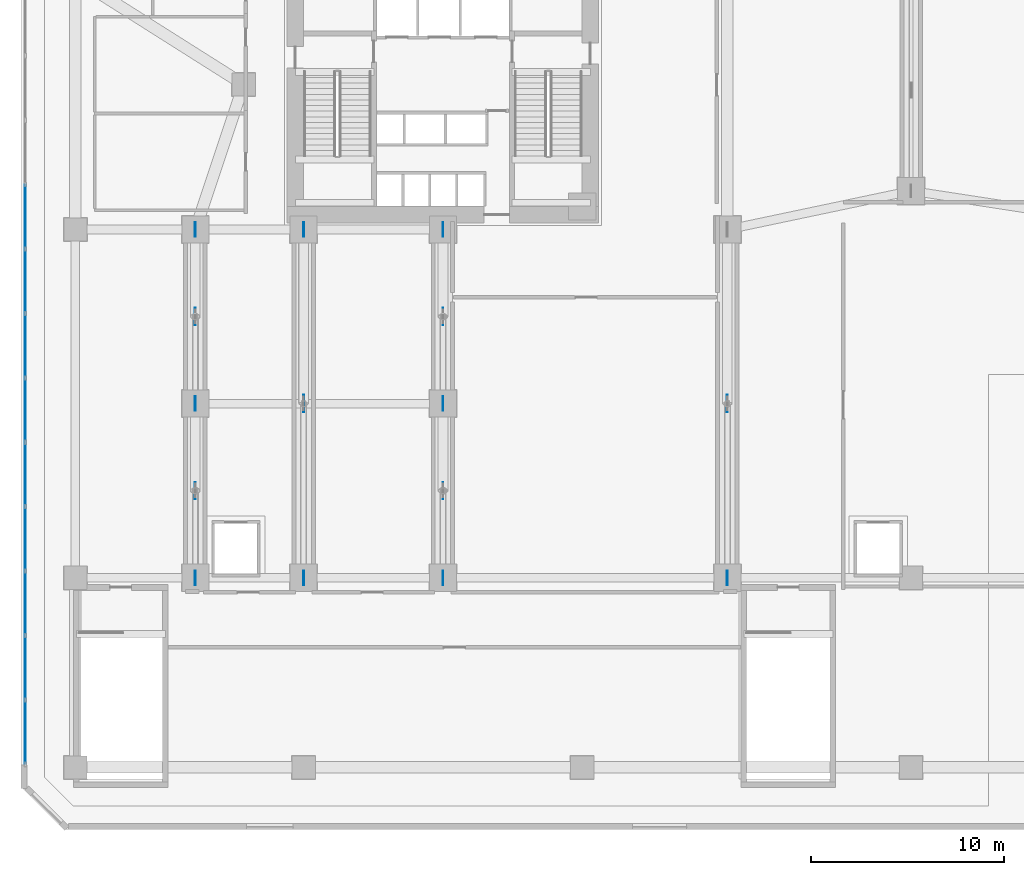
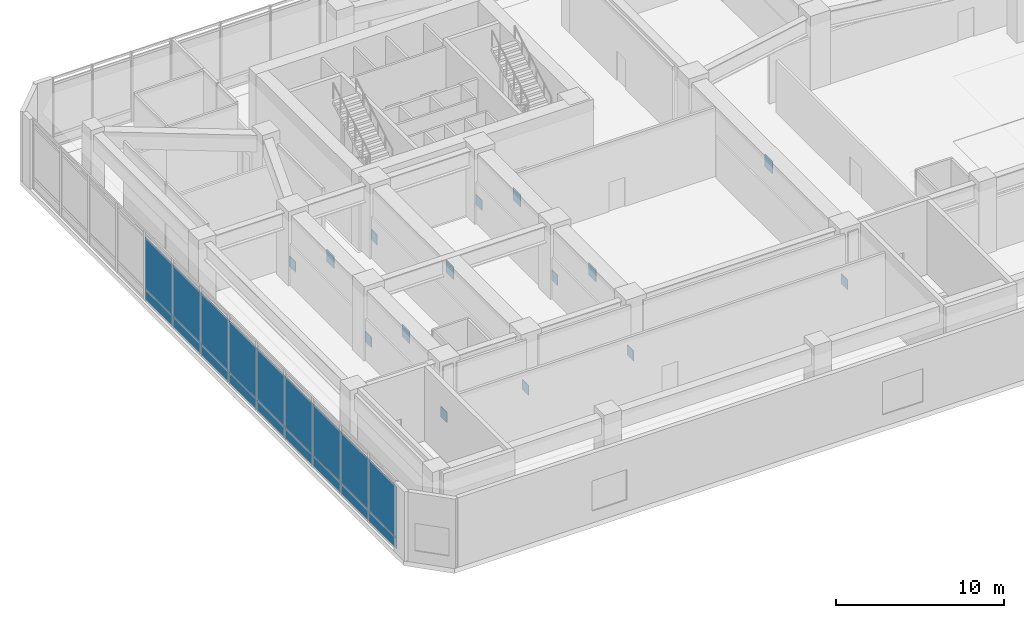
# One storey, part 11 of 21: 33 plates, 1 element without a shape of its own.
"""IFC4 building model written with IfcOpenShell, lengths in metres."""

import ifcopenshell
import ifcopenshell.guid

model = None  # the IFC model being written
_history = None  # IfcOwnerHistory: only IFC2X3 demands one
_inside = {}  # id of a spatial element -> (the spatial element, [elements in it])
_under = {}  # id of a project, library or spatial element -> (it, [spatial elements below it])
_declared = {}  # id of a project -> (the project, [libraries it declares])
_typed = {}  # id of a type object -> (the type object, [elements of that type])
_made_of = {}  # id of a material, layer set ... -> (it, [elements and type objects made of it])


def new_model(schema):
    """Start an empty IFC model of exactly this schema.

    Asked for "IFC4X3", IfcOpenShell would pick the latest addendum, in which some entities
    have other attributes; the version numbers below select the first issue.
    IFC2X3 requires an IfcOwnerHistory on every rooted entity: one is made here for all.
    """
    global model, _history
    if schema == "IFC4X3":
        model = ifcopenshell.file(schema_version=(4, 3, 0, 0))
    else:
        model = ifcopenshell.file(schema=schema)
    _inside.clear()
    _under.clear()
    _declared.clear()
    _typed.clear()
    _made_of.clear()
    _history = None
    if model.schema == "IFC2X3":
        org = make("IfcOrganization", Name="unknown")
        user = make(
            "IfcPersonAndOrganization",
            ThePerson=make("IfcPerson", FamilyName="unknown"),
            TheOrganization=org,
        )
        app = make(
            "IfcApplication",
            ApplicationDeveloper=org,
            Version="unknown",
            ApplicationFullName="unknown",
            ApplicationIdentifier="unknown",
        )
        _history = make(
            "IfcOwnerHistory",
            OwningUser=user,
            OwningApplication=app,
            ChangeAction="ADDED",
            CreationDate=0,
        )
    return model


def make(cls, **values):
    """One entity of the class cls with the attributes given. An attribute that is None is left unset."""
    return model.create_entity(
        cls, **{name: value for name, value in values.items() if value is not None}
    )


def rooted(cls, **values):
    """An entity with a GlobalId (a new one), such as an element, a storey or a relation."""
    return make(cls, GlobalId=ifcopenshell.guid.new(), OwnerHistory=_history, **values)


def si_unit(unit_type, name, prefix=None):
    """IfcSIUnit, for example si_unit("LENGTHUNIT", "METRE", prefix="MILLI")."""
    return make("IfcSIUnit", UnitType=unit_type, Prefix=prefix, Name=name)


def assignment(units):
    """IfcUnitAssignment: the units of a project."""
    return None if units is None else make("IfcUnitAssignment", Units=units)


def point(xyz):
    """IfcCartesianPoint."""
    return None if xyz is None else make("IfcCartesianPoint", Coordinates=xyz)


def direction(xyz):
    """IfcDirection."""
    return None if xyz is None else make("IfcDirection", DirectionRatios=xyz)


def frame(location, z_axis=None, x_axis=None):
    """IfcAxis2Placement3D, a coordinate frame: its origin and axes. An axis left out is left unset."""
    return make(
        "IfcAxis2Placement3D",
        Location=point(location),
        Axis=direction(z_axis),
        RefDirection=direction(x_axis),
    )


def frame_2d(location, x_axis=None):
    """IfcAxis2Placement2D, a coordinate frame in the plane: its origin and x axis."""
    return make(
        "IfcAxis2Placement2D", Location=point(location), RefDirection=direction(x_axis)
    )


def origin():
    """The frame at (0, 0, 0) with its axes left unset."""
    return frame((0.0, 0.0, 0.0))


def origin_2d():
    """The frame at (0, 0) in the plane with its x axis left unset."""
    return frame_2d((0.0, 0.0))


def place(relative_to, where):
    """IfcLocalPlacement: puts the frame where relative to a parent placement (None: the world)."""
    return make(
        "IfcLocalPlacement", PlacementRelTo=relative_to, RelativePlacement=where
    )


def context(
    kind, dimensions, precision=None, world=None, true_north=None, identifier=None
):
    """IfcGeometricRepresentationContext, for example the 3D "Model" context."""
    return make(
        "IfcGeometricRepresentationContext",
        ContextIdentifier=identifier,
        ContextType=kind,
        CoordinateSpaceDimension=dimensions,
        Precision=precision,
        WorldCoordinateSystem=world,
        TrueNorth=true_north,
    )


def subcontext(parent, identifier, kind, view, scale=None):
    """IfcGeometricRepresentationSubContext, for example "Body" below "Model"."""
    return make(
        "IfcGeometricRepresentationSubContext",
        ContextIdentifier=identifier,
        ContextType=kind,
        ParentContext=parent,
        TargetScale=scale,
        TargetView=view,
    )


def project(units=None, contexts=None):
    """IfcProject with its units and contexts."""
    return rooted(
        "IfcProject",
        Name="project",
        RepresentationContexts=contexts,
        UnitsInContext=assignment(units),
    )


def spatial(cls, under=None, at=None, **own):
    """A site, building, storey or space (cls), placed at a placement, below another one or the project."""
    s = rooted(cls, ObjectPlacement=at, **own)
    if under is not None:
        _under.setdefault(under.id(), (under, []))[1].append(s)
    return s


def profile(cls, at=None, kind="AREA", **sizes):
    """A parametric profile (cls). Its sizes go by their IFC names, for example OverallWidth=200.0."""
    return make(cls, ProfileType=kind, Position=at, **sizes)


def rectangle(**sizes):
    """IfcRectangleProfileDef."""
    return profile("IfcRectangleProfileDef", **sizes)


def extrude(swept, where, along, depth):
    """IfcExtrudedAreaSolid: the profile swept, set in the frame where, extruded along a direction by depth."""
    return make(
        "IfcExtrudedAreaSolid",
        SweptArea=swept,
        Position=where,
        ExtrudedDirection=direction(along),
        Depth=depth,
    )


def shape(context_of_items, identifier, shape_type, items):
    """IfcShapeRepresentation: the items that make up one representation, for example the "Body"."""
    return make(
        "IfcShapeRepresentation",
        ContextOfItems=context_of_items,
        RepresentationIdentifier=identifier,
        RepresentationType=shape_type,
        Items=items,
    )


def source(mapping_origin, context_of_items, identifier, shape_type, items):
    """IfcRepresentationMap: a shape defined once, which mapped items show again and again."""
    return make(
        "IfcRepresentationMap",
        MappingOrigin=mapping_origin,
        MappedRepresentation=shape(context_of_items, identifier, shape_type, items),
    )


def transform(
    local_origin,
    x_axis=None,
    y_axis=None,
    z_axis=None,
    scale=None,
    scale2=None,
    scale3=None,
    uniform=True,
):
    """IfcCartesianTransformationOperator3D, or its non-uniform kind. x_axis, y_axis, z_axis: its Axis1, 2, 3."""
    if uniform:
        return make(
            "IfcCartesianTransformationOperator3D",
            Axis1=direction(x_axis),
            Axis2=direction(y_axis),
            LocalOrigin=point(local_origin),
            Scale=scale,
            Axis3=direction(z_axis),
        )
    return make(
        "IfcCartesianTransformationOperator3DnonUniform",
        Axis1=direction(x_axis),
        Axis2=direction(y_axis),
        LocalOrigin=point(local_origin),
        Scale=scale,
        Axis3=direction(z_axis),
        Scale2=scale2,
        Scale3=scale3,
    )


def mapped(mapping_source, mapping_target):
    """IfcMappedItem: shows the shape of a source again, moved by a transform."""
    return make(
        "IfcMappedItem", MappingSource=mapping_source, MappingTarget=mapping_target
    )


def material(Name=None, Category=None):
    """IfcMaterial."""
    return make("IfcMaterial", Name=Name, Category=Category)


def layer(
    of_material, thickness, ventilated=None, Name=None, Category=None, Priority=None
):
    """IfcMaterialLayer: one layer of a wall or slab, of a material (None: an air gap)."""
    return make(
        "IfcMaterialLayer",
        Material=of_material,
        LayerThickness=thickness,
        IsVentilated=ventilated,
        Name=Name,
        Category=Category,
        Priority=Priority,
    )


def layer_set(layers, Name=None):
    """IfcMaterialLayerSet."""
    return make("IfcMaterialLayerSet", MaterialLayers=layers, LayerSetName=Name)


def made_of(thing, what):
    """Note that an element or type object is made of a material, layer set ...; save() writes the relation."""
    if what is not None:
        _made_of.setdefault(what.id(), (what, []))[1].append(thing)
    return thing


def type_object(cls, material=None, **own):
    """A type object (cls), such as IfcWallType, which elements share."""
    return made_of(rooted(cls, **own), material)


def element(
    cls,
    number,
    at=None,
    inside=None,
    cuts=None,
    type_object=None,
    material=None,
    context=None,
    identifier="Body",
    shape_type=None,
    held_by="IfcProductDefinitionShape",
    body=None,
    shapes=None,
    **own,
):
    """One element of the class cls, such as IfcWall. Its Tag is "e" and its number.

    at: its placement. inside: the storey or other place that contains it. cuts: it is an
    opening in that element (IfcRelVoidsElement). A single representation is given by context,
    identifier, shape_type and body (its items); several are given by shapes. held_by: the class
    of the entity that holds the representations. save() writes the other relations.
    """
    e = rooted(cls, Tag="e%d" % number, ObjectPlacement=at, **own)
    if body is not None:
        shapes = [shape(context, identifier, shape_type, body)]
    if shapes is not None:
        e.Representation = make(held_by, Representations=shapes)
    if inside is not None:
        _inside.setdefault(inside.id(), (inside, []))[1].append(e)
    if cuts is not None:
        rooted(
            "IfcRelVoidsElement", RelatingBuildingElement=cuts, RelatedOpeningElement=e
        )
    if type_object is not None:
        _typed.setdefault(type_object.id(), (type_object, []))[1].append(e)
    return made_of(e, material)


def aggregate(whole, parts):
    """IfcRelAggregates: a whole, such as a stair, and the parts it consists of."""
    return rooted("IfcRelAggregates", RelatingObject=whole, RelatedObjects=parts)


def save(model, path):
    """Write the relations noted so far, then the file.

    IfcRelAggregates (storeys below a building ...), IfcRelContainedInSpatialStructure (elements
    in a storey), IfcRelDefinesByType, IfcRelAssociatesMaterial and IfcRelDeclares: one each for
    every whole, place, type object, material and project.
    """
    for whole, parts in _under.values():
        aggregate(whole, parts)
    for where, things in _inside.values():
        rooted(
            "IfcRelContainedInSpatialStructure",
            RelatedElements=things,
            RelatingStructure=where,
        )
    for kind, things in _typed.values():
        rooted("IfcRelDefinesByType", RelatedObjects=things, RelatingType=kind)
    for what, things in _made_of.values():
        rooted("IfcRelAssociatesMaterial", RelatedObjects=things, RelatingMaterial=what)
    for by, libraries in _declared.values():
        rooted("IfcRelDeclares", RelatingContext=by, RelatedDefinitions=libraries)
    model.write(path)


model = new_model("IFC4")

# Units and contexts
model_context = context("Model", 3, precision=1e-05, world=origin(), true_north=direction((0.0, 1.0)))
body_context = subcontext(model_context, "Body", "Model", "MODEL_VIEW")
ifc_project = project(units=[si_unit("LENGTHUNIT", "METRE"), si_unit("AREAUNIT", "SQUARE_METRE"), si_unit("VOLUMEUNIT", "CUBIC_METRE"), si_unit("PLANEANGLEUNIT", "RADIAN"), si_unit("MASSUNIT", "GRAM", prefix="KILO")], contexts=[model_context])

# Site, building, storey
site_placement = place(None, origin())
site = spatial("IfcSite", under=ifc_project, at=site_placement, CompositionType="ELEMENT")
building_placement = place(site_placement, origin())
building = spatial("IfcBuilding", under=site, at=building_placement, Name="Calvemar Wedge Station Tower", CompositionType="ELEMENT")
storey_placement = place(building_placement, frame((0.0, 0.0, 21.60009765625)))
storey = spatial("IfcBuildingStorey", under=building, at=storey_placement, Name="L05", CompositionType="ELEMENT", Elevation=21.60009765625)

# Curtain wall, plates
ifc_material_1 = material(Name="Anodised aluminium 6063-T6", Category="aluminium")
curtain_wall_type = type_object("IfcCurtainWallType", Name="CW5", PredefinedType="NOTDEFINED", material=ifc_material_1)
curtain_wall_placement = place(storey_placement, origin())
curtain_wall = element("IfcCurtainWall", 1, at=curtain_wall_placement, inside=storey, type_object=curtain_wall_type, Name="Storey L05 CW5 Recessed Unitised Curtain Wall 6", PredefinedType="NOTDEFINED")
ifc_material_2 = material(Name="Low-E laminated insulated glass", Category="glass")
ifc_layer_1 = layer(ifc_material_2, 0.028076171875)
ifc_layer_set_1 = layer_set([ifc_layer_1], Name="Low-E laminated insulated glass")
plate_type_1 = type_object("IfcPlateType", Name="CW5-GLZ", PredefinedType="CURTAIN_PANEL", material=ifc_layer_set_1)
plate_1_placement = place(storey_placement, frame((2.2099609375, 35.30419921875, 0.869873046875), z_axis=(0.0, 0.0, 1.0), x_axis=(0.0, -1.0, 0.0)))
plate_1 = element("IfcPlate", 2, at=plate_1_placement, type_object=plate_type_1, Name="CW5 vision glass panel 5", PredefinedType="CURTAIN_PANEL", context=body_context, shape_type="SweptSolid", body=[
    extrude(rectangle(XDim=3.292724609375, YDim=0.028076171875, at=frame_2d((1.646484375, 0.0))), origin(), (0.0, 0.0, 1.0), 3.7099609375),
])
plate_2_placement = place(storey_placement, frame((2.2099609375, 31.975341796875, 0.869873046875), z_axis=(0.0, 0.0, 1.0), x_axis=(0.0, -1.0, 0.0)))
plate_2 = element("IfcPlate", 3, at=plate_2_placement, type_object=plate_type_1, Name="CW5 vision glass panel 6", PredefinedType="CURTAIN_PANEL", context=body_context, shape_type="SweptSolid", body=[
    extrude(rectangle(XDim=3.292724609375, YDim=0.028076171875, at=frame_2d((1.646484375, 0.0))), origin(), (0.0, 0.0, 1.0), 3.7099609375),
])
plate_3_placement = place(storey_placement, frame((2.2099609375, 28.646484375, 0.869873046875), z_axis=(0.0, 0.0, 1.0), x_axis=(0.0, -1.0, 0.0)))
plate_3 = element("IfcPlate", 4, at=plate_3_placement, type_object=plate_type_1, Name="CW5 vision glass panel 7", PredefinedType="CURTAIN_PANEL", context=body_context, shape_type="SweptSolid", body=[
    extrude(rectangle(XDim=3.29296875, YDim=0.028076171875, at=frame_2d((1.646484375, 0.0))), origin(), (0.0, 0.0, 1.0), 3.7099609375),
])
plate_4_placement = place(storey_placement, frame((2.2099609375, 25.3173828125, 0.869873046875), z_axis=(0.0, 0.0, 1.0), x_axis=(0.0, -1.0, 0.0)))
plate_4 = element("IfcPlate", 5, at=plate_4_placement, type_object=plate_type_1, Name="CW5 vision glass panel 8", PredefinedType="CURTAIN_PANEL", context=body_context, shape_type="SweptSolid", body=[
    extrude(rectangle(XDim=3.292724609375, YDim=0.028076171875, at=frame_2d((1.646484375, 0.0))), origin(), (0.0, 0.0, 1.0), 3.7099609375),
])
plate_5_placement = place(storey_placement, frame((2.2099609375, 21.988525390625, 0.869873046875), z_axis=(0.0, 0.0, 1.0), x_axis=(0.0, -1.0, 0.0)))
plate_5 = element("IfcPlate", 6, at=plate_5_placement, type_object=plate_type_1, Name="CW5 vision glass panel 9", PredefinedType="CURTAIN_PANEL", context=body_context, shape_type="SweptSolid", body=[
    extrude(rectangle(XDim=3.292724609375, YDim=0.028076171875, at=frame_2d((1.646484375, 0.0))), origin(), (0.0, 0.0, 1.0), 3.7099609375),
])
plate_6_placement = place(storey_placement, frame((2.2099609375, 18.65966796875, 0.869873046875), z_axis=(0.0, 0.0, 1.0), x_axis=(0.0, -1.0, 0.0)))
plate_6 = element("IfcPlate", 7, at=plate_6_placement, type_object=plate_type_1, Name="CW5 vision glass panel 10", PredefinedType="CURTAIN_PANEL", context=body_context, shape_type="SweptSolid", body=[
    extrude(rectangle(XDim=3.29296875, YDim=0.028076171875, at=frame_2d((1.646484375, 0.0))), origin(), (0.0, 0.0, 1.0), 3.7099609375),
])
plate_7_placement = place(storey_placement, frame((2.2099609375, 15.330810546875, 0.869873046875), z_axis=(0.0, 0.0, 1.0), x_axis=(0.0, -1.0, 0.0)))
plate_7 = element("IfcPlate", 8, at=plate_7_placement, type_object=plate_type_1, Name="CW5 vision glass panel 11", PredefinedType="CURTAIN_PANEL", context=body_context, shape_type="SweptSolid", body=[
    extrude(rectangle(XDim=3.29296875, YDim=0.028076171875, at=frame_2d((1.646484375, 0.0))), origin(), (0.0, 0.0, 1.0), 3.7099609375),
])
plate_8_placement = place(storey_placement, frame((2.2099609375, 12.001953125, 0.869873046875), z_axis=(0.0, 0.0, 1.0), x_axis=(0.0, -1.0, 0.0)))
plate_8 = element("IfcPlate", 9, at=plate_8_placement, type_object=plate_type_1, Name="CW5 vision glass panel 12", PredefinedType="CURTAIN_PANEL", context=body_context, shape_type="SweptSolid", body=[
    extrude(rectangle(XDim=3.29296875, YDim=0.028076171875, at=frame_2d((1.646484375, 0.0))), origin(), (0.0, 0.0, 1.0), 3.7099609375),
])
plate_9_placement = place(storey_placement, frame((2.2099609375, 8.673095703125, 0.869873046875), z_axis=(0.0, 0.0, 1.0), x_axis=(0.0, -1.0, 0.0)))
plate_9 = element("IfcPlate", 10, at=plate_9_placement, type_object=plate_type_1, Name="CW5 vision glass panel 13", PredefinedType="CURTAIN_PANEL", context=body_context, shape_type="SweptSolid", body=[
    extrude(rectangle(XDim=3.29296875, YDim=0.028076171875, at=frame_2d((1.646484375, 0.0))), origin(), (0.0, 0.0, 1.0), 3.7099609375),
])
ifc_material_3 = material(Name="Oxidized bronze aluminium spandrel panel 5005-H24", Category="aluminium")
ifc_layer_2 = layer(ifc_material_3, 0.0400390625)
ifc_layer_set_2 = layer_set([ifc_layer_2], Name="Oxidized bronze aluminium spandrel panel 5005-H24")
plate_type_2 = type_object("IfcPlateType", Name="CW5-SPD", PredefinedType="SHEET", material=ifc_layer_set_2)
plate_10_placement = place(storey_placement, frame((2.2099609375, 35.30419921875, 0.079833984375), z_axis=(0.0, 0.0, 1.0), x_axis=(0.0, -1.0, 0.0)))
plate_10 = element("IfcPlate", 11, at=plate_10_placement, type_object=plate_type_2, Name="CW5 bronze spandrel panel 5", PredefinedType="SHEET", context=body_context, shape_type="SweptSolid", body=[
    extrude(rectangle(XDim=3.292724609375, YDim=0.0400390625, at=frame_2d((1.646484375, 0.0))), origin(), (0.0, 0.0, 1.0), 0.75),
])
plate_11_placement = place(storey_placement, frame((2.2099609375, 31.975341796875, 0.079833984375), z_axis=(0.0, 0.0, 1.0), x_axis=(0.0, -1.0, 0.0)))
plate_11 = element("IfcPlate", 12, at=plate_11_placement, type_object=plate_type_2, Name="CW5 bronze spandrel panel 6", PredefinedType="SHEET", context=body_context, shape_type="SweptSolid", body=[
    extrude(rectangle(XDim=3.292724609375, YDim=0.0400390625, at=frame_2d((1.646484375, 0.0))), origin(), (0.0, 0.0, 1.0), 0.75),
])
plate_12_placement = place(storey_placement, frame((2.2099609375, 28.646484375, 0.079833984375), z_axis=(0.0, 0.0, 1.0), x_axis=(0.0, -1.0, 0.0)))
plate_12 = element("IfcPlate", 13, at=plate_12_placement, type_object=plate_type_2, Name="CW5 bronze spandrel panel 7", PredefinedType="SHEET", context=body_context, shape_type="SweptSolid", body=[
    extrude(rectangle(XDim=3.29296875, YDim=0.0400390625, at=frame_2d((1.646484375, 0.0))), origin(), (0.0, 0.0, 1.0), 0.75),
])
plate_13_placement = place(storey_placement, frame((2.2099609375, 25.3173828125, 0.079833984375), z_axis=(0.0, 0.0, 1.0), x_axis=(0.0, -1.0, 0.0)))
plate_13 = element("IfcPlate", 14, at=plate_13_placement, type_object=plate_type_2, Name="CW5 bronze spandrel panel 8", PredefinedType="SHEET", context=body_context, shape_type="SweptSolid", body=[
    extrude(rectangle(XDim=3.292724609375, YDim=0.0400390625, at=frame_2d((1.646484375, 0.0))), origin(), (0.0, 0.0, 1.0), 0.75),
])
plate_14_placement = place(storey_placement, frame((2.2099609375, 21.988525390625, 0.079833984375), z_axis=(0.0, 0.0, 1.0), x_axis=(0.0, -1.0, 0.0)))
plate_14 = element("IfcPlate", 15, at=plate_14_placement, type_object=plate_type_2, Name="CW5 bronze spandrel panel 9", PredefinedType="SHEET", context=body_context, shape_type="SweptSolid", body=[
    extrude(rectangle(XDim=3.292724609375, YDim=0.0400390625, at=frame_2d((1.646484375, 0.0))), origin(), (0.0, 0.0, 1.0), 0.75),
])
plate_15_placement = place(storey_placement, frame((2.2099609375, 18.65966796875, 0.079833984375), z_axis=(0.0, 0.0, 1.0), x_axis=(0.0, -1.0, 0.0)))
plate_15 = element("IfcPlate", 16, at=plate_15_placement, type_object=plate_type_2, Name="CW5 bronze spandrel panel 10", PredefinedType="SHEET", context=body_context, shape_type="SweptSolid", body=[
    extrude(rectangle(XDim=3.29296875, YDim=0.0400390625, at=frame_2d((1.646484375, 0.0))), origin(), (0.0, 0.0, 1.0), 0.75),
])
plate_16_placement = place(storey_placement, frame((2.2099609375, 15.330810546875, 0.079833984375), z_axis=(0.0, 0.0, 1.0), x_axis=(0.0, -1.0, 0.0)))
plate_16 = element("IfcPlate", 17, at=plate_16_placement, type_object=plate_type_2, Name="CW5 bronze spandrel panel 11", PredefinedType="SHEET", context=body_context, shape_type="SweptSolid", body=[
    extrude(rectangle(XDim=3.29296875, YDim=0.0400390625, at=frame_2d((1.646484375, 0.0))), origin(), (0.0, 0.0, 1.0), 0.75),
])
plate_17_placement = place(storey_placement, frame((2.2099609375, 12.001953125, 0.079833984375), z_axis=(0.0, 0.0, 1.0), x_axis=(0.0, -1.0, 0.0)))
plate_17 = element("IfcPlate", 18, at=plate_17_placement, type_object=plate_type_2, Name="CW5 bronze spandrel panel 12", PredefinedType="SHEET", context=body_context, shape_type="SweptSolid", body=[
    extrude(rectangle(XDim=3.29296875, YDim=0.0400390625, at=frame_2d((1.646484375, 0.0))), origin(), (0.0, 0.0, 1.0), 0.75),
])
plate_18_placement = place(storey_placement, frame((2.2099609375, 8.673095703125, 0.079833984375), z_axis=(0.0, 0.0, 1.0), x_axis=(0.0, -1.0, 0.0)))
plate_18 = element("IfcPlate", 19, at=plate_18_placement, type_object=plate_type_2, Name="CW5 bronze spandrel panel 13", PredefinedType="SHEET", context=body_context, shape_type="SweptSolid", body=[
    extrude(rectangle(XDim=3.29296875, YDim=0.0400390625, at=frame_2d((1.646484375, 0.0))), origin(), (0.0, 0.0, 1.0), 0.75),
])
aggregate(curtain_wall, [plate_10, plate_1, plate_11, plate_2, plate_12, plate_3, plate_13, plate_4, plate_14, plate_5, plate_15, plate_6, plate_16, plate_7, plate_17, plate_8, plate_18, plate_9])

# Plates
ifc_material_4 = material(Name="Structural steel ASTM A572 Grade 50", Category="steel")
ifc_layer_3 = layer(ifc_material_4, 0.0400390625)
ifc_layer_set_3 = layer_set([ifc_layer_3], Name="Structural steel ASTM A572 Grade 50")
plate_type_3 = type_object("IfcPlateType", Name="PL-NP-40", PredefinedType="USERDEFINED", material=ifc_layer_set_3)
shared_shape_1 = source(origin(), body_context, "Body", "SweptSolid", [
    extrude(rectangle(XDim=0.89990234375, YDim=0.0400390625, at=origin_2d()), origin(), (0.0, 0.0, 1.0), 0.89990234375),
])
for number, where, z_axis, x_axis, name in (
    (20, (11.0, 19.5, 3.599853515625), (0.0, 0.0, 1.0), (0.0, 1.0, 0.0), "Warren Truss TR1 Node Gusset Plate 1"),
    (21, (11.0, 28.5, 3.599853515625), (0.0, 0.0, 1.0), (0.0, 1.0, 0.0), "Warren Truss TR1 Node Gusset Plate 2"),
    (22, (16.60009765625, 24.0, 3.599853515625), (0.0, 0.0, 1.0), (0.0, 1.0, 0.0), "Warren Truss TR2 Node Gusset Plate 1"),
    (23, (23.800048828125, 19.5, 3.599853515625), (0.0, 0.0, 1.0), (0.0, 1.0, 0.0), "Warren Truss TR3 Node Gusset Plate 1"),
    (24, (23.800048828125, 28.5, 3.599853515625), (0.0, 0.0, 1.0), (0.0, 1.0, 0.0), "Warren Truss TR3 Node Gusset Plate 2"),
    (25, (38.5, 24.0, 3.599853515625), (0.0, 0.0, 1.0), (0.0, 1.0, 0.0), "Warren Truss TR4 Node Gusset Plate 1"),
):
    element("IfcPlate", number, at=place(storey_placement, frame(where, z_axis=z_axis, x_axis=x_axis)), inside=storey, type_object=plate_type_3, Name=name, ObjectType="GUSSET PLATE", PredefinedType="USERDEFINED", context=body_context, shape_type="MappedRepresentation", body=[
        mapped(shared_shape_1, transform((0.0, 0.0, 0.0), scale=1.0)),
    ])
shared_shape_2 = source(origin(), body_context, "Body", "SweptSolid", [
    extrude(rectangle(XDim=0.75, YDim=0.0400390625, at=origin_2d()), origin(), (0.0, 0.0, 1.0), 0.75),
])
for number, where, z_axis, x_axis, name in (
    (26, (11.0, 15.0, 0.555908203125), (0.0, 0.0, 1.0), (0.0, 1.0, 0.0), "Warren Truss TR1 South Foot Gusset Plate 1"),
    (27, (11.0, 24.0, 0.555908203125), (0.0, 0.0, 1.0), (0.0, 1.0, 0.0), "Warren Truss TR1 North Foot Gusset Plate 1"),
    (28, (11.0, 33.0, 0.555908203125), (0.0, 0.0, 1.0), (0.0, 1.0, 0.0), "Warren Truss TR1 North Foot Gusset Plate 2"),
    (29, (16.60009765625, 15.0, 0.555908203125), (0.0, 0.0, 1.0), (0.0, 1.0, 0.0), "Warren Truss TR2 South Foot Gusset Plate 1"),
    (30, (16.60009765625, 33.0, 0.555908203125), (0.0, 0.0, 1.0), (0.0, 1.0, 0.0), "Warren Truss TR2 North Foot Gusset Plate 1"),
    (31, (23.800048828125, 15.0, 0.555908203125), (0.0, 0.0, 1.0), (0.0, 1.0, 0.0), "Warren Truss TR3 South Foot Gusset Plate 1"),
    (32, (23.800048828125, 24.0, 0.555908203125), (0.0, 0.0, 1.0), (0.0, 1.0, 0.0), "Warren Truss TR3 North Foot Gusset Plate 1"),
    (33, (23.800048828125, 33.0, 0.555908203125), (0.0, 0.0, 1.0), (0.0, 1.0, 0.0), "Warren Truss TR3 North Foot Gusset Plate 2"),
    (34, (38.5, 15.0, 0.555908203125), (0.0, 0.0, 1.0), (0.0, 1.0, 0.0), "Warren Truss TR4 South Foot Gusset Plate 1"),
):
    element("IfcPlate", number, at=place(storey_placement, frame(where, z_axis=z_axis, x_axis=x_axis)), inside=storey, type_object=plate_type_3, Name=name, ObjectType="GUSSET PLATE", PredefinedType="USERDEFINED", context=body_context, shape_type="MappedRepresentation", body=[
        mapped(shared_shape_2, transform((0.0, 0.0, 0.0), scale=1.0)),
    ])

save(model, "model.ifc")
